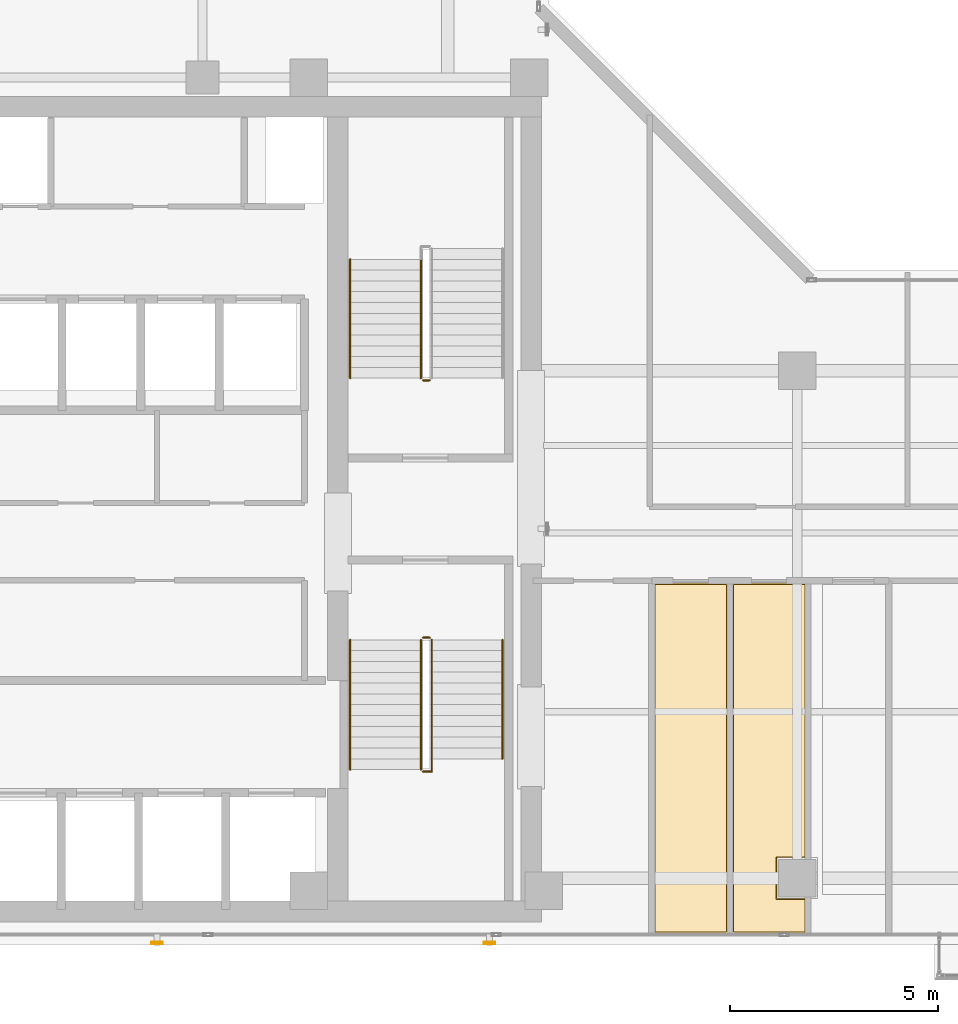
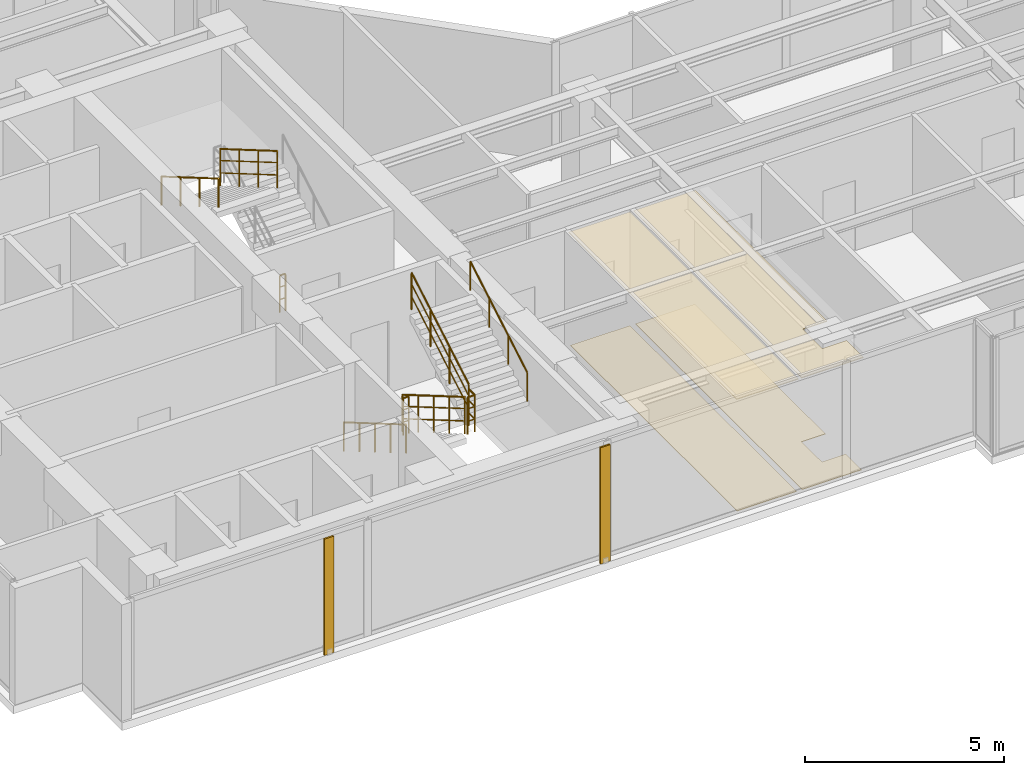
# One storey, part 20 of 22: 9 railings, 4 coverings, 2 shading devices.
"""IFC4 building model written with IfcOpenShell, lengths in metres."""

from ifc_helpers import new_model, si_unit, direction, frame, origin, origin_2d, place, context, subcontext, project, spatial, polyline, hollow_rectangle, circle, outline, extrude, material, layer, layer_set, material_profile, profile_set, type_object, element, save


model = new_model("IFC4")

# Units and contexts
model_context = context("Model", 3, precision=1e-05, world=origin(), true_north=direction((0.0, 1.0)))
body_context = subcontext(model_context, "Body", "Model", "MODEL_VIEW")
ifc_project = project(units=[si_unit("LENGTHUNIT", "METRE"), si_unit("AREAUNIT", "SQUARE_METRE"), si_unit("VOLUMEUNIT", "CUBIC_METRE"), si_unit("PLANEANGLEUNIT", "RADIAN"), si_unit("MASSUNIT", "GRAM", prefix="KILO")], contexts=[model_context])

# Site, building, storey
site_placement = place(None, origin())
site = spatial("IfcSite", under=ifc_project, at=site_placement, CompositionType="ELEMENT")
building_placement = place(site_placement, origin())
building = spatial("IfcBuilding", under=site, at=building_placement, Name="Kolvaren Waterfront Exchange", CompositionType="ELEMENT")
storey_placement = place(building_placement, frame((0.0, 0.0, 327.39990234375)))
storey = spatial("IfcBuildingStorey", under=building, at=storey_placement, Name="L84", CompositionType="ELEMENT", Elevation=327.39990234375)

# Coverings
ifc_material_1 = material(Name="Mineral fibre acoustic ceiling tile")
ifc_layer_1 = layer(ifc_material_1, 0.02490234375, Name="Mineral fibre acoustic ceiling tile")
ifc_layer_set_1 = layer_set([ifc_layer_1], Name="Mineral fibre acoustic ceiling tile")
covering_type_1 = type_object("IfcCoveringType", Name="ARC-CEIL-ACOUSTIC-25", PredefinedType="CEILING", material=ifc_layer_set_1)
covering_1_placement = place(storey_placement, frame((0.0, 0.0, 3.445068359375)))
element("IfcCovering", 1, at=covering_1_placement, inside=storey, type_object=covering_type_1, Name="L84 acoustic suspended ceiling 1", PredefinedType="CEILING", context=body_context, shape_type="SweptSolid", body=[
    extrude(outline(polyline([(25.534912109375, 3.864990234375), (25.534912109375, 12.294921875), (23.7451171875, 12.294921875), (23.7451171875, 3.864990234375), (25.534912109375, 3.864990234375)])), origin(), (0.0, 0.0, 1.0), 0.025146484375),
])
covering_2_placement = place(storey_placement, frame((0.0, 0.0, 3.445068359375)))
element("IfcCovering", 2, at=covering_2_placement, inside=storey, type_object=covering_type_1, Name="L84 acoustic suspended ceiling 2", PredefinedType="CEILING", context=body_context, shape_type="SweptSolid", body=[
    extrude(outline(polyline([(27.4150390625, 4.7099609375), (26.7099609375, 4.7099609375), (26.7099609375, 5.68994140625), (27.4150390625, 5.68994140625), (27.4150390625, 12.294921875), (25.625, 12.294921875), (25.625, 3.864990234375), (27.4150390625, 3.864990234375), (27.4150390625, 4.7099609375)])), origin(), (0.0, 0.0, 1.0), 0.025146484375),
])

# Shading devices
ifc_material_2 = material(Name="Anodised bronze aluminium 6063-T6", Category="aluminium")
ifc_material_profile = material_profile(ifc_material_2, hollow_rectangle(XDim=0.054931640625, YDim=0.280029296875, WallThickness=0.00439453125, at=origin_2d()), Name="BRZ-FIN-280x55x4.5")
ifc_profile_set = profile_set([ifc_material_profile], Name="Anodised bronze aluminium 6063-T6")
shading_device_type = type_object("IfcShadingDeviceType", Name="ARC-FIN-280", PredefinedType="USERDEFINED", material=ifc_profile_set)
for number, where, z_axis, x_axis, name in (
    (3, (11.800048828125, 3.639892578125, 0.0), (0.0, 0.0, 1.0), (0.0, -1.0, 0.0), "L84 anodised bronze solar shading fin FIN-L84-S1"),
    (4, (19.800048828125, 3.639892578125, 0.0), (0.0, 0.0, 1.0), (0.0, -1.0, 0.0), "L84 anodised bronze solar shading fin FIN-L84-S2"),
):
    element("IfcShadingDevice", number, at=place(storey_placement, frame(where, z_axis=z_axis, x_axis=x_axis)), inside=storey, type_object=shading_device_type, Name=name, ObjectType="SOLAR FIN", PredefinedType="USERDEFINED", context=body_context, shape_type="SweptSolid", body=[
        extrude(hollow_rectangle(XDim=0.054931640625, YDim=0.280029296875, WallThickness=0.00439453125, at=origin_2d()), origin(), (0.0, 0.0, 1.0), 3.56005859375),
    ])

# Coverings
ifc_material_3 = material(Name="Slip-resistant porcelain tile")
ifc_layer_2 = layer(ifc_material_3, 0.014892578125, Name="Slip-resistant porcelain tile")
ifc_layer_set_2 = layer_set([ifc_layer_2], Name="Slip-resistant porcelain tile")
covering_type_2 = type_object("IfcCoveringType", Name="ARC-FLR-PORC-15", PredefinedType="FLOORING", material=ifc_layer_set_2)
covering_3_placement = place(storey_placement, origin())
element("IfcCovering", 5, at=covering_3_placement, inside=storey, type_object=covering_type_2, Name="L84 floor finish 1", PredefinedType="FLOORING", context=body_context, shape_type="SweptSolid", body=[
    extrude(outline(polyline([(23.780029296875, 12.260009765625), (23.780029296875, 3.89990234375), (25.5, 3.89990234375), (25.5, 12.260009765625), (23.780029296875, 12.260009765625)])), origin(), (0.0, 0.0, 1.0), 0.01513671875),
])
covering_4_placement = place(storey_placement, origin())
element("IfcCovering", 6, at=covering_4_placement, inside=storey, type_object=covering_type_2, Name="L84 floor finish 2", PredefinedType="FLOORING", context=body_context, shape_type="SweptSolid", body=[
    extrude(outline(polyline([(25.659912109375, 12.260009765625), (25.659912109375, 3.89990234375), (27.3798828125, 3.89990234375), (27.3798828125, 4.68994140625), (26.68994140625, 4.68994140625), (26.68994140625, 5.7099609375), (27.3798828125, 5.7099609375), (27.3798828125, 12.260009765625), (25.659912109375, 12.260009765625)])), origin(), (0.0, 0.0, 1.0), 0.01513671875),
])

# Railings
ifc_material_4 = material(Name="Stainless steel 316", Category="steel")
railing_type_1 = type_object("IfcRailingType", Name="ARC-GUARD-STAIR", PredefinedType="GUARDRAIL", material=ifc_material_4)
railing_1_placement = place(storey_placement, frame((18.14990234375, 10.929931640625, 0.152099609375)))
element("IfcRailing", 7, at=railing_1_placement, inside=storey, type_object=railing_type_1, Name="L84 ST1 stair guard 1", PredefinedType="GUARDRAIL", context=body_context, shape_type="SweptSolid", body=[
    extrude(circle(Radius=0.02392578125, at=origin_2d()), frame((0.0, 0.0, 1.1259765625), z_axis=(0.0, -0.86329090724, 0.504706656858), x_axis=(1.0, 0.0, 0.0)), (0.0, 0.0, 1.0), 3.614013671875),
    extrude(circle(Radius=0.01611328125, at=origin_2d()), frame((0.0, 0.0, 0.390869140625), z_axis=(0.0, -0.86329090724, 0.504706656858), x_axis=(1.0, 0.0, 0.0)), (0.0, 0.0, 1.0), 3.614013671875),
    extrude(circle(Radius=0.01611328125, at=origin_2d()), frame((0.0, 0.0, 0.7705078125), z_axis=(0.0, -0.86329090724, 0.504706656858), x_axis=(1.0, 0.0, 0.0)), (0.0, 0.0, 1.0), 3.614013671875),
    extrude(circle(Radius=0.02099609375, at=origin_2d()), origin(), (0.0, 0.0, 1.0), 1.101806640625),
    extrude(circle(Radius=0.02099609375, at=origin_2d()), frame((0.0, -0.780029296875, 0.4560546875)), (0.0, 0.0, 1.0), 1.101806640625),
    extrude(circle(Radius=0.02099609375, at=origin_2d()), frame((0.0, -1.56005859375, 0.912109375)), (0.0, 0.0, 1.0), 1.101806640625),
    extrude(circle(Radius=0.02099609375, at=origin_2d()), frame((0.0, -2.33984375, 1.367919921875)), (0.0, 0.0, 1.0), 1.101806640625),
    extrude(circle(Radius=0.02099609375, at=origin_2d()), frame((0.0, -3.119873046875, 1.823974609375)), (0.0, 0.0, 1.0), 1.101806640625),
])
railing_2_placement = place(storey_placement, frame((18.199951171875, 7.760009765625, 1.97607421875)))
element("IfcRailing", 8, at=railing_2_placement, inside=storey, type_object=railing_type_1, Name="L84 ST1 stair guard 2", PredefinedType="GUARDRAIL", context=body_context, shape_type="SweptSolid", body=[
    extrude(circle(Radius=0.02392578125, at=origin_2d()), frame((0.0, 0.0, 1.1259765625), z_axis=(1.0, 0.0, 0.0), x_axis=(0.0, 1.0, 0.0)), (0.0, 0.0, 1.0), 0.2099609375),
    extrude(circle(Radius=0.01611328125, at=origin_2d()), frame((0.0, 0.0, 0.390869140625), z_axis=(1.0, 0.0, 0.0), x_axis=(0.0, 1.0, 0.0)), (0.0, 0.0, 1.0), 0.2099609375),
    extrude(circle(Radius=0.01611328125, at=origin_2d()), frame((0.0, 0.0, 0.7705078125), z_axis=(1.0, 0.0, 0.0), x_axis=(0.0, 1.0, 0.0)), (0.0, 0.0, 1.0), 0.2099609375),
    extrude(circle(Radius=0.02392578125, at=origin_2d()), frame((0.2099609375, 0.0, 1.1259765625), z_axis=(0.0, 1.0, 0.0), x_axis=(-1.0, 0.0, 0.0)), (0.0, 0.0, 1.0), 0.31005859375),
    extrude(circle(Radius=0.01611328125, at=origin_2d()), frame((0.2099609375, 0.0, 0.390869140625), z_axis=(0.0, 1.0, 0.0), x_axis=(-1.0, 0.0, 0.0)), (0.0, 0.0, 1.0), 0.31005859375),
    extrude(circle(Radius=0.01611328125, at=origin_2d()), frame((0.2099609375, 0.0, 0.7705078125), z_axis=(0.0, 1.0, 0.0), x_axis=(-1.0, 0.0, 0.0)), (0.0, 0.0, 1.0), 0.31005859375),
    extrude(circle(Radius=0.02099609375, at=origin_2d()), origin(), (0.0, 0.0, 1.0), 1.101806640625),
    extrude(circle(Radius=0.02099609375, at=origin_2d()), frame((0.2099609375, 0.0, 0.0)), (0.0, 0.0, 1.0), 1.101806640625),
    extrude(circle(Radius=0.02099609375, at=origin_2d()), frame((0.2099609375, 0.31005859375, 0.0)), (0.0, 0.0, 1.0), 1.101806640625),
])
railing_3_placement = place(storey_placement, frame((18.409912109375, 8.070068359375, 2.128173828125)))
element("IfcRailing", 9, at=railing_3_placement, inside=storey, type_object=railing_type_1, Name="L84 ST1 stair guard 3", PredefinedType="GUARDRAIL", context=body_context, shape_type="SweptSolid", body=[
    extrude(circle(Radius=0.02392578125, at=origin_2d()), frame((0.0, 0.0, 1.1259765625), z_axis=(0.0, 0.86330272217, 0.504686447108), x_axis=(-1.0, 0.0, 0.0)), (0.0, 0.0, 1.0), 3.312744140625),
    extrude(circle(Radius=0.01611328125, at=origin_2d()), frame((0.0, 0.0, 0.390869140625), z_axis=(0.0, 0.86330272217, 0.504686447108), x_axis=(-1.0, 0.0, 0.0)), (0.0, 0.0, 1.0), 3.312744140625),
    extrude(circle(Radius=0.01611328125, at=origin_2d()), frame((0.0, 0.0, 0.7705078125), z_axis=(0.0, 0.86330272217, 0.504686447108), x_axis=(-1.0, 0.0, 0.0)), (0.0, 0.0, 1.0), 3.312744140625),
    extrude(circle(Radius=0.02099609375, at=origin_2d()), origin(), (0.0, 0.0, 1.0), 1.101806640625),
    extrude(circle(Radius=0.02099609375, at=origin_2d()), frame((0.0, 0.953369140625, 0.557373046875)), (0.0, 0.0, 1.0), 1.101806640625),
    extrude(circle(Radius=0.02099609375, at=origin_2d()), frame((0.0, 1.906494140625, 1.114501953125)), (0.0, 0.0, 1.0), 1.101806640625),
    extrude(circle(Radius=0.02099609375, at=origin_2d()), frame((0.0, 2.85986328125, 1.671875)), (0.0, 0.0, 1.0), 1.101806640625),
])
railing_4_placement = place(storey_placement, frame((18.199951171875, 10.97998046875, 0.0)))
element("IfcRailing", 10, at=railing_4_placement, inside=storey, type_object=railing_type_1, Name="L84 ST1 stair guard 4", PredefinedType="GUARDRAIL", context=body_context, shape_type="SweptSolid", body=[
    extrude(circle(Radius=0.02392578125, at=origin_2d()), frame((0.0, 0.0, 1.1259765625), z_axis=(1.0, 0.0, 0.0), x_axis=(0.0, 1.0, 0.0)), (0.0, 0.0, 1.0), 0.16015625),
    extrude(circle(Radius=0.01611328125, at=origin_2d()), frame((0.0, 0.0, 0.390869140625), z_axis=(1.0, 0.0, 0.0), x_axis=(0.0, 1.0, 0.0)), (0.0, 0.0, 1.0), 0.16015625),
    extrude(circle(Radius=0.01611328125, at=origin_2d()), frame((0.0, 0.0, 0.7705078125), z_axis=(1.0, 0.0, 0.0), x_axis=(0.0, 1.0, 0.0)), (0.0, 0.0, 1.0), 0.16015625),
    extrude(circle(Radius=0.02099609375, at=origin_2d()), origin(), (0.0, 0.0, 1.0), 1.101806640625),
    extrude(circle(Radius=0.02099609375, at=origin_2d()), frame((0.16015625, 0.0, 0.0)), (0.0, 0.0, 1.0), 1.101806640625),
])
railing_5_placement = place(storey_placement, frame((18.14990234375, 20.080078125, 2.128173828125)))
element("IfcRailing", 11, at=railing_5_placement, inside=storey, type_object=railing_type_1, Name="L84 ST2 stair guard 3", PredefinedType="GUARDRAIL", context=body_context, shape_type="SweptSolid", body=[
    extrude(circle(Radius=0.02392578125, at=origin_2d()), frame((0.0, 0.0, 1.1259765625), z_axis=(0.0, -0.863321491973, 0.504654338629), x_axis=(1.0, 0.0, 0.0)), (0.0, 0.0, 1.0), 3.31298828125),
    extrude(circle(Radius=0.01611328125, at=origin_2d()), frame((0.0, 0.0, 0.390869140625), z_axis=(0.0, -0.863321491973, 0.504654338629), x_axis=(1.0, 0.0, 0.0)), (0.0, 0.0, 1.0), 3.31298828125),
    extrude(circle(Radius=0.01611328125, at=origin_2d()), frame((0.0, 0.0, 0.7705078125), z_axis=(0.0, -0.863321491973, 0.504654338629), x_axis=(1.0, 0.0, 0.0)), (0.0, 0.0, 1.0), 3.31298828125),
    extrude(circle(Radius=0.02099609375, at=origin_2d()), origin(), (0.0, 0.0, 1.0), 1.101806640625),
    extrude(circle(Radius=0.02099609375, at=origin_2d()), frame((0.0, -0.953369140625, 0.557373046875)), (0.0, 0.0, 1.0), 1.101806640625),
    extrude(circle(Radius=0.02099609375, at=origin_2d()), frame((0.0, -1.90673828125, 1.114501953125)), (0.0, 0.0, 1.0), 1.101806640625),
    extrude(circle(Radius=0.02099609375, at=origin_2d()), frame((0.0, -2.860107421875, 1.671875)), (0.0, 0.0, 1.0), 1.101806640625),
])
railing_6_placement = place(storey_placement, frame((18.360107421875, 17.169921875, 0.0)))
element("IfcRailing", 12, at=railing_6_placement, inside=storey, type_object=railing_type_1, Name="L84 ST2 stair guard 4", PredefinedType="GUARDRAIL", context=body_context, shape_type="SweptSolid", body=[
    extrude(circle(Radius=0.02392578125, at=origin_2d()), frame((0.0, 0.0, 1.1259765625), z_axis=(-1.0, 0.0, 0.0), x_axis=(0.0, -1.0, 0.0)), (0.0, 0.0, 1.0), 0.16015625),
    extrude(circle(Radius=0.01611328125, at=origin_2d()), frame((0.0, 0.0, 0.390869140625), z_axis=(-1.0, 0.0, 0.0), x_axis=(0.0, -1.0, 0.0)), (0.0, 0.0, 1.0), 0.16015625),
    extrude(circle(Radius=0.01611328125, at=origin_2d()), frame((0.0, 0.0, 0.7705078125), z_axis=(-1.0, 0.0, 0.0), x_axis=(0.0, -1.0, 0.0)), (0.0, 0.0, 1.0), 0.16015625),
    extrude(circle(Radius=0.02099609375, at=origin_2d()), origin(), (0.0, 0.0, 1.0), 1.101806640625),
    extrude(circle(Radius=0.02099609375, at=origin_2d()), frame((-0.16015625, 0.0, 0.0)), (0.0, 0.0, 1.0), 1.101806640625),
])
railing_type_2 = type_object("IfcRailingType", Name="ARC-HANDRAIL-900", PredefinedType="HANDRAIL", material=ifc_material_4)
railing_7_placement = place(storey_placement, frame((16.449951171875, 10.929931640625, 0.152099609375)))
element("IfcRailing", 13, at=railing_7_placement, inside=storey, type_object=railing_type_2, Name="L84 ST1 stair handrail 1", PredefinedType="HANDRAIL", context=body_context, shape_type="SweptSolid", body=[
    extrude(circle(Radius=0.02392578125, at=origin_2d()), frame((0.0, 0.0, 0.8759765625), z_axis=(0.0, -0.86329090724, 0.504706656858), x_axis=(1.0, 0.0, 0.0)), (0.0, 0.0, 1.0), 3.614013671875),
    extrude(circle(Radius=0.02099609375, at=origin_2d()), origin(), (0.0, 0.0, 1.0), 0.851806640625),
    extrude(circle(Radius=0.02099609375, at=origin_2d()), frame((0.0, -0.780029296875, 0.4560546875)), (0.0, 0.0, 1.0), 0.851806640625),
    extrude(circle(Radius=0.02099609375, at=origin_2d()), frame((0.0, -1.56005859375, 0.912109375)), (0.0, 0.0, 1.0), 0.851806640625),
    extrude(circle(Radius=0.02099609375, at=origin_2d()), frame((0.0, -2.33984375, 1.367919921875)), (0.0, 0.0, 1.0), 0.851806640625),
    extrude(circle(Radius=0.02099609375, at=origin_2d()), frame((0.0, -3.119873046875, 1.823974609375)), (0.0, 0.0, 1.0), 0.851806640625),
])
railing_8_placement = place(storey_placement, frame((20.110107421875, 8.070068359375, 2.128173828125)))
element("IfcRailing", 14, at=railing_8_placement, inside=storey, type_object=railing_type_2, Name="L84 ST1 stair handrail 2", PredefinedType="HANDRAIL", context=body_context, shape_type="SweptSolid", body=[
    extrude(circle(Radius=0.02392578125, at=origin_2d()), frame((0.0, 0.0, 0.8759765625), z_axis=(0.0, 0.86330272217, 0.504686447108), x_axis=(-1.0, 0.0, 0.0)), (0.0, 0.0, 1.0), 3.312744140625),
    extrude(circle(Radius=0.02099609375, at=origin_2d()), origin(), (0.0, 0.0, 1.0), 0.851806640625),
    extrude(circle(Radius=0.02099609375, at=origin_2d()), frame((0.0, 0.953369140625, 0.557373046875)), (0.0, 0.0, 1.0), 0.851806640625),
    extrude(circle(Radius=0.02099609375, at=origin_2d()), frame((0.0, 1.906494140625, 1.114501953125)), (0.0, 0.0, 1.0), 0.851806640625),
    extrude(circle(Radius=0.02099609375, at=origin_2d()), frame((0.0, 2.85986328125, 1.671875)), (0.0, 0.0, 1.0), 0.851806640625),
])
railing_9_placement = place(storey_placement, frame((16.449951171875, 20.080078125, 2.128173828125)))
element("IfcRailing", 15, at=railing_9_placement, inside=storey, type_object=railing_type_2, Name="L84 ST2 stair handrail 2", PredefinedType="HANDRAIL", context=body_context, shape_type="SweptSolid", body=[
    extrude(circle(Radius=0.02392578125, at=origin_2d()), frame((0.0, 0.0, 0.8759765625), z_axis=(0.0, -0.863321491973, 0.504654338629), x_axis=(1.0, 0.0, 0.0)), (0.0, 0.0, 1.0), 3.31298828125),
    extrude(circle(Radius=0.02099609375, at=origin_2d()), origin(), (0.0, 0.0, 1.0), 0.851806640625),
    extrude(circle(Radius=0.02099609375, at=origin_2d()), frame((0.0, -0.953369140625, 0.557373046875)), (0.0, 0.0, 1.0), 0.851806640625),
    extrude(circle(Radius=0.02099609375, at=origin_2d()), frame((0.0, -1.90673828125, 1.114501953125)), (0.0, 0.0, 1.0), 0.851806640625),
    extrude(circle(Radius=0.02099609375, at=origin_2d()), frame((0.0, -2.860107421875, 1.671875)), (0.0, 0.0, 1.0), 0.851806640625),
])

save(model, "model.ifc")
